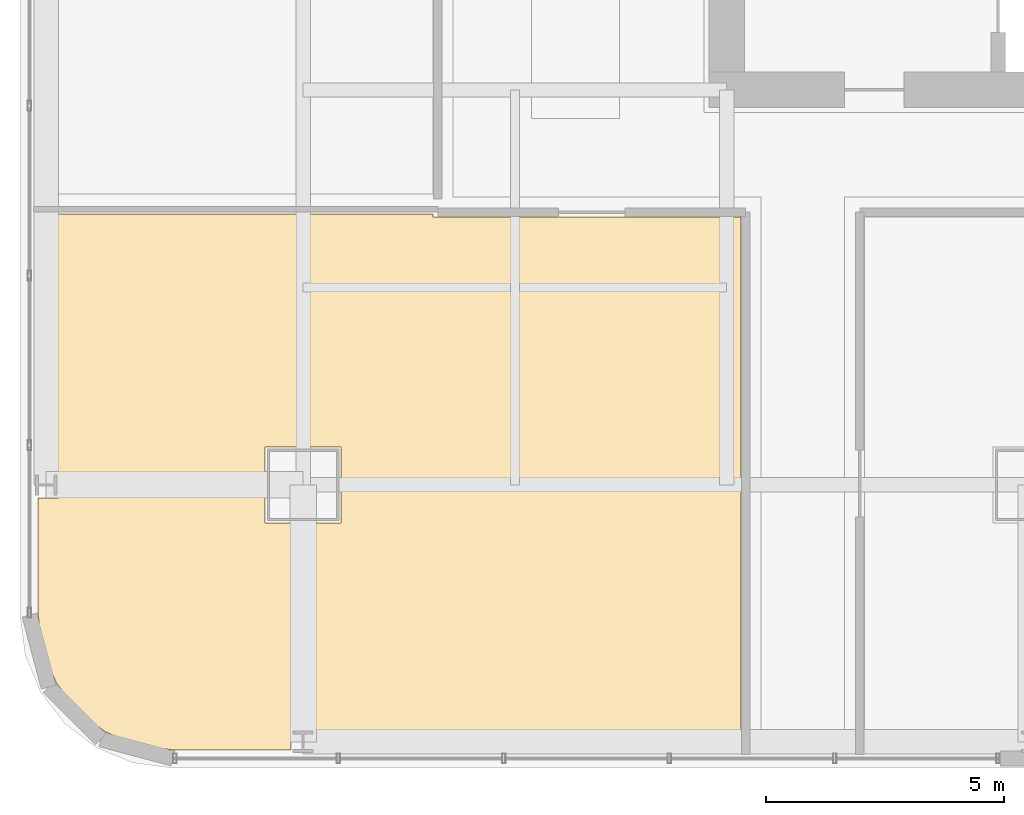
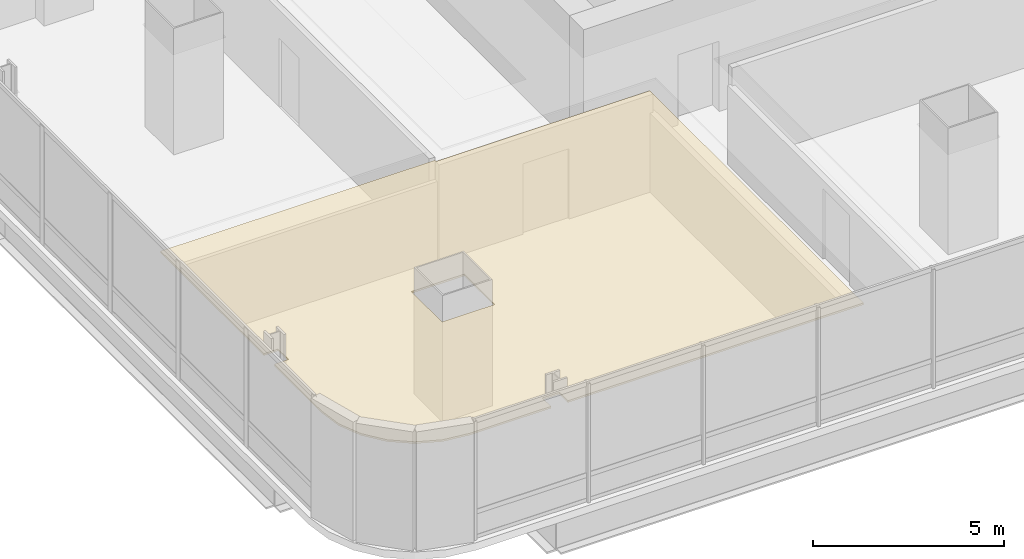
# One storey, part 30 of 37: 1 covering.
"""IFC4 building model written with IfcOpenShell, lengths in metres."""

from ifc_helpers import new_model, si_unit, direction, frame, origin, place, context, subcontext, project, spatial, polyline, outline, extrude, material, layer, layer_set, type_object, element, save


model = new_model("IFC4")

# Units and contexts
model_context = context("Model", 3, precision=1e-05, world=origin(), true_north=direction((0.0, 1.0)))
body_context = subcontext(model_context, "Body", "Model", "MODEL_VIEW")
ifc_project = project(units=[si_unit("LENGTHUNIT", "METRE"), si_unit("AREAUNIT", "SQUARE_METRE"), si_unit("VOLUMEUNIT", "CUBIC_METRE"), si_unit("PLANEANGLEUNIT", "RADIAN"), si_unit("MASSUNIT", "GRAM", prefix="KILO")], contexts=[model_context])

# Site, building, storey
site_placement = place(None, origin())
site = spatial("IfcSite", under=ifc_project, at=site_placement, CompositionType="ELEMENT")
building_placement = place(site_placement, origin())
building = spatial("IfcBuilding", under=site, at=building_placement, Name="Punatoya Terracotta Tower", CompositionType="ELEMENT")
storey_placement = place(building_placement, frame((0.0, 0.0, 44.39990234375)))
storey = spatial("IfcBuildingStorey", under=building, at=storey_placement, Name="L09", CompositionType="ELEMENT", Elevation=44.39990234375)

# Covering
ifc_material = material(Name="Acoustic Mineral Fibre Ceiling")
ifc_layer = layer(ifc_material, 0.06005859375)
ifc_layer_set = layer_set([ifc_layer], Name="Acoustic Mineral Fibre Ceiling")
covering_type = type_object("IfcCoveringType", Name="COV-CEIL-60", PredefinedType="CEILING", material=ifc_layer_set)
covering_placement = place(storey_placement, frame((0.0, 0.0, 3.2001953125)))
element("IfcCovering", 1, at=covering_placement, inside=storey, type_object=covering_type, Name="L09 Client Strategy Boardroom Acoustic Ceiling", PredefinedType="CEILING", context=body_context, shape_type="SweptSolid", body=[
    extrude(outline(polyline([(-16.3701171875, -11.8701171875), (-16.3701171875, -11.81005859375), (-24.669921875, -11.81005859375), (-24.669921875, -17.22705078125), (-24.241943359375, -17.22705078125), (-24.241943359375, -17.77294921875), (-24.669921875, -17.77294921875), (-24.669921875, -20.22509765625), (-24.57080078125, -20.97900390625), (-24.289306640625, -21.658203125), (-23.841796875, -22.24169921875), (-23.25830078125, -22.689453125), (-22.5791015625, -22.970703125), (-21.8251953125, -23.070068359375), (-19.35791015625, -23.070068359375), (-19.35791015625, -22.626953125), (-18.842041015625, -22.626953125), (-18.842041015625, -23.070068359375), (-9.89990234375, -23.070068359375), (-9.89990234375, -11.8701171875), (-16.3701171875, -11.8701171875)]), holes=[polyline([(-19.89990234375, -18.300048828125), (-19.89990234375, -16.699951171875), (-18.300048828125, -16.699951171875), (-18.300048828125, -18.300048828125), (-19.89990234375, -18.300048828125)])]), origin(), (0.0, 0.0, 1.0), 0.059814453125),
])

save(model, "model.ifc")
